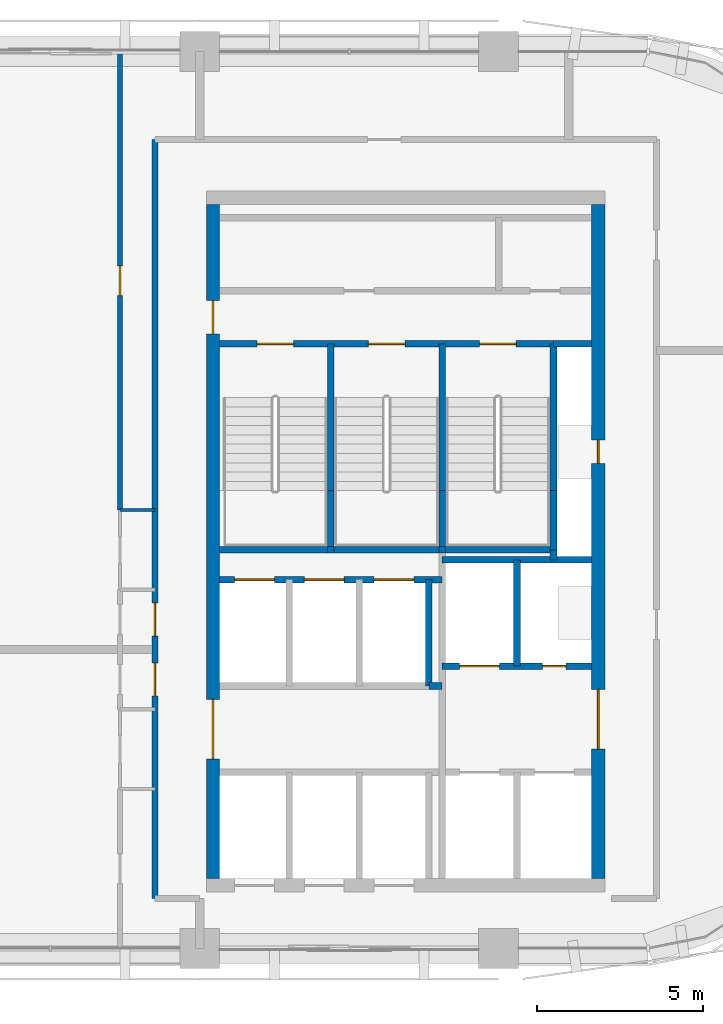
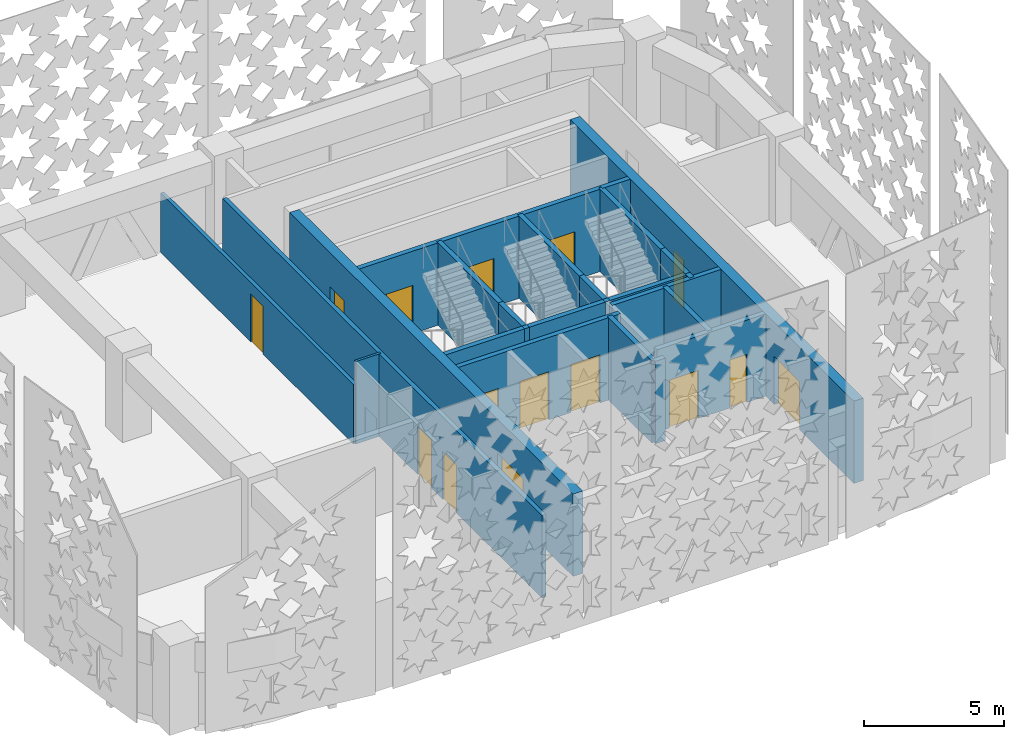
# One storey, part 7 of 14: 25 walls, 15 doors, 15 openings.
"""IFC4 building model written with IfcOpenShell, lengths in metres."""

from ifc_helpers import new_model, si_unit, direction, frame, frame_2d, origin, place, context, subcontext, project, spatial, rectangle, extrude, material, layer, layer_set, type_object, element, fill, save


model = new_model("IFC4")

# Units and contexts
model_context = context("Model", 3, precision=1e-05, world=origin(), true_north=direction((0.0, 1.0)))
body_context = subcontext(model_context, "Body", "Model", "MODEL_VIEW")
ifc_project = project(units=[si_unit("LENGTHUNIT", "METRE"), si_unit("AREAUNIT", "SQUARE_METRE"), si_unit("VOLUMEUNIT", "CUBIC_METRE"), si_unit("PLANEANGLEUNIT", "RADIAN"), si_unit("MASSUNIT", "GRAM", prefix="KILO")], contexts=[model_context])

# Site, building, storey
site_placement = place(None, origin())
site = spatial("IfcSite", under=ifc_project, at=site_placement, CompositionType="ELEMENT")
building_placement = place(site_placement, origin())
building = spatial("IfcBuilding", under=site, at=building_placement, Name="Tessera Arch", CompositionType="ELEMENT")
storey_placement = place(building_placement, frame((0.0, 0.0, 269.60009765625)))
storey = spatial("IfcBuildingStorey", under=building, at=storey_placement, Name="L65", CompositionType="ELEMENT", Elevation=269.60009765625)

# Wall
ifc_material_1 = material(Name="Gypsum board on steel stud", Category="steel")
ifc_layer_1 = layer(ifc_material_1, 0.125)
ifc_layer_set_1 = layer_set([ifc_layer_1], Name="Core partition 125 EI 60")
wall_type_1 = type_object("IfcWallType", Name="Core partition 125 EI 60", PredefinedType="PARTITIONING", material=ifc_layer_set_1)
wall_1_placement = place(storey_placement, frame((42.89990234375, 34.89990234375, 0.0), z_axis=(0.0, 0.0, 1.0), x_axis=(1.0, 0.0, 0.0)))
element("IfcWall", 1, at=wall_1_placement, inside=storey, type_object=wall_type_1, Name="L65 C1 partition wall 19", PredefinedType="PARTITIONING", context=body_context, shape_type="SweptSolid", body=[
    extrude(rectangle(XDim=0.400146484375, YDim=0.199951171875, at=frame_2d((0.2001953125, 0.0))), origin(), (0.0, 0.0, 1.0), 3.599853515625),
])

# Wall, openings, doors
ifc_material_2 = material(Name="Concrete C50/60", Category="concrete")
ifc_layer_2 = layer(ifc_material_2, 0.39990234375)
ifc_layer_set_2 = layer_set([ifc_layer_2], Name="Core shell wall 400 C50-60")
wall_type_2 = type_object("IfcWallType", Name="Core shell wall 400 C50-60", PredefinedType="SHEAR", material=ifc_layer_set_2)
wall_2_placement = place(storey_placement, frame((36.39990234375, 29.10009765625, 0.0), z_axis=(0.0, 0.0, 1.0), x_axis=(0.0, 1.0, 0.0)))
wall_2 = element("IfcWall", 2, at=wall_2_placement, inside=storey, type_object=wall_type_2, Name="L65 C1 core wall W", PredefinedType="SHEAR", context=body_context, shape_type="SweptSolid", body=[
    extrude(rectangle(XDim=20.2998046875, YDim=0.39990234375, at=frame_2d((10.14990234375, 0.0))), origin(), (0.0, 0.0, 1.0), 3.599853515625),
])
opening_1_placement = place(wall_2_placement, frame((3.60009765625, 0.0, 0.0)))
opening_1 = element("IfcOpeningElement", 3, at=opening_1_placement, cuts=wall_2, Name="Opening L65-C10", PredefinedType="OPENING", context=body_context, shape_type="SweptSolid", body=[
    extrude(rectangle(XDim=1.800048828125, YDim=2.10009765625, at=frame_2d((0.89990234375, 1.050048828125))), frame((0.0, 0.2099609375, 0.0), z_axis=(0.0, -1.0, 0.0), x_axis=(1.0, 0.0, 0.0)), (0.0, 0.0, 1.0), 0.419921875),
])
opening_2_placement = place(wall_2_placement, frame((16.39990234375, 0.0, 0.0)))
opening_2 = element("IfcOpeningElement", 4, at=opening_2_placement, cuts=wall_2, Name="Opening L65-C17", PredefinedType="OPENING", context=body_context, shape_type="SweptSolid", body=[
    extrude(rectangle(XDim=1.0, YDim=2.10009765625, at=frame_2d((0.5, 1.050048828125))), frame((0.0, 0.2099609375, 0.0), z_axis=(0.0, -1.0, 0.0), x_axis=(1.0, 0.0, 0.0)), (0.0, 0.0, 1.0), 0.419921875),
])
ifc_material_3 = material(Name="Steel door leaf", Category="steel")
door_type_1 = type_object("IfcDoorType", Name="Corridor door FD60 1000 x 2100", OperationType="SINGLE_SWING_LEFT", PredefinedType="DOOR", material=ifc_material_3)
door_1_placement = place(opening_2_placement, origin())
door_1 = element("IfcDoor", 5, at=door_1_placement, inside=storey, type_object=door_type_1, Name="L65 C1 door 17 C17 type D12", OperationType="SINGLE_SWING_RIGHT", OverallHeight=2.10009765625, OverallWidth=1.0, PredefinedType="DOOR", context=body_context, shape_type="SweptSolid", body=[
    extrude(rectangle(XDim=1.0, YDim=2.10009765625, at=frame_2d((0.5, 1.050048828125))), frame((0.0, 0.02490234375, 0.0), z_axis=(0.0, -1.0, 0.0), x_axis=(1.0, 0.0, 0.0)), (0.0, 0.0, 1.0), 0.050048828125),
])
fill(opening_2, door_1)
ifc_material_4 = material(Name="Glazed steel door leaf", Category="steel")
door_type_2 = type_object("IfcDoorType", Name="Lobby double door FD30S 1800 x 2100", OperationType="DOUBLE_DOOR_SINGLE_SWING", PredefinedType="DOOR", material=ifc_material_4)
door_2_placement = place(opening_1_placement, origin())
door_2 = element("IfcDoor", 6, at=door_2_placement, inside=storey, type_object=door_type_2, Name="L65 C1 door 10 C10 type D06", OperationType="DOUBLE_DOOR_SINGLE_SWING", OverallHeight=2.10009765625, OverallWidth=1.800048828125, PredefinedType="DOOR", context=body_context, shape_type="SweptSolid", body=[
    extrude(rectangle(XDim=1.800048828125, YDim=2.10009765625, at=frame_2d((0.89990234375, 1.050048828125))), frame((0.0, 0.02490234375, 0.0), z_axis=(0.0, -1.0, 0.0), x_axis=(1.0, 0.0, 0.0)), (0.0, 0.0, 1.0), 0.050048828125),
])
fill(opening_1, door_2)

wall_3_placement = place(storey_placement, frame((48.0, 29.10009765625, 0.0), z_axis=(0.0, 0.0, 1.0), x_axis=(0.0, 1.0, 0.0)))
wall_3 = element("IfcWall", 7, at=wall_3_placement, inside=storey, type_object=wall_type_2, Name="L65 C1 core wall E", PredefinedType="SHEAR", context=body_context, shape_type="SweptSolid", body=[
    extrude(rectangle(XDim=20.2998046875, YDim=0.39990234375, at=frame_2d((10.14990234375, 0.0))), origin(), (0.0, 0.0, 1.0), 3.599853515625),
])
opening_3_placement = place(wall_3_placement, frame((12.5, 0.0, 0.0)))
opening_3 = element("IfcOpeningElement", 8, at=opening_3_placement, cuts=wall_3, Name="Opening L65-C14", PredefinedType="OPENING", context=body_context, shape_type="SweptSolid", body=[
    extrude(rectangle(XDim=0.699951171875, YDim=2.10009765625, at=frame_2d((0.35009765625, 1.050048828125))), frame((0.0, 0.2099609375, 0.0), z_axis=(0.0, -1.0, 0.0), x_axis=(1.0, 0.0, 0.0)), (0.0, 0.0, 1.0), 0.419921875),
])
opening_4_placement = place(wall_3_placement, frame((3.89990234375, 0.0, 0.0)))
opening_4 = element("IfcOpeningElement", 9, at=opening_4_placement, cuts=wall_3, Name="Opening L65-C15", PredefinedType="OPENING", context=body_context, shape_type="SweptSolid", body=[
    extrude(rectangle(XDim=1.800048828125, YDim=2.10009765625, at=frame_2d((0.89990234375, 1.050048828125))), frame((0.0, 0.2099609375, 0.0), z_axis=(0.0, -1.0, 0.0), x_axis=(1.0, 0.0, 0.0)), (0.0, 0.0, 1.0), 0.419921875),
])
ifc_material_5 = material(Name="Glazed steel door leaf", Category="steel")
door_type_3 = type_object("IfcDoorType", Name="Lobby double door FD60 1800 x 2100", OperationType="DOUBLE_DOOR_SINGLE_SWING", PredefinedType="DOOR", material=ifc_material_5)
door_3_placement = place(opening_4_placement, origin())
door_3 = element("IfcDoor", 10, at=door_3_placement, inside=storey, type_object=door_type_3, Name="L65 C1 door 15 C15 type D19", OperationType="DOUBLE_DOOR_SINGLE_SWING", OverallHeight=2.10009765625, OverallWidth=1.800048828125, PredefinedType="DOOR", context=body_context, shape_type="SweptSolid", body=[
    extrude(rectangle(XDim=1.800048828125, YDim=2.10009765625, at=frame_2d((0.89990234375, 1.050048828125))), frame((0.0, 0.02490234375, 0.0), z_axis=(0.0, -1.0, 0.0), x_axis=(1.0, 0.0, 0.0)), (0.0, 0.0, 1.0), 0.050048828125),
])
fill(opening_4, door_3)
ifc_material_6 = material(Name="Steel door leaf", Category="steel")
door_type_4 = type_object("IfcDoorType", Name="Service shaft door FD60 700 x 2100", OperationType="SINGLE_SWING_LEFT", PredefinedType="DOOR", material=ifc_material_6)
door_4_placement = place(opening_3_placement, origin())
door_4 = element("IfcDoor", 11, at=door_4_placement, inside=storey, type_object=door_type_4, Name="L65 C1 door 14 C14 type D07", OperationType="SINGLE_SWING_RIGHT", OverallHeight=2.10009765625, OverallWidth=0.699951171875, PredefinedType="DOOR", context=body_context, shape_type="SweptSolid", body=[
    extrude(rectangle(XDim=0.699951171875, YDim=2.10009765625, at=frame_2d((0.35009765625, 1.050048828125))), frame((0.0, 0.02490234375, 0.0), z_axis=(0.0, -1.0, 0.0), x_axis=(1.0, 0.0, 0.0)), (0.0, 0.0, 1.0), 0.050048828125),
])
fill(opening_3, door_4)

ifc_material_7 = material(Name="Gypsum board on deep steel stud with mineral wool", Category="steel")
ifc_layer_3 = layer(ifc_material_7, 0.175048828125)
ifc_layer_set_3 = layer_set([ifc_layer_3], Name="Corridor wall 175 EI 60")
wall_type_3 = type_object("IfcWallType", Name="Corridor wall 175 EI 60", PredefinedType="PARTITIONING", material=ifc_layer_set_3)
wall_4_placement = place(storey_placement, frame((34.64990234375, 28.5, 0.0), z_axis=(0.0, 0.0, 1.0), x_axis=(0.0, 1.0, 0.0)))
wall_4 = element("IfcWall", 12, at=wall_4_placement, inside=storey, type_object=wall_type_3, Name="L65 partition 4", PredefinedType="PARTITIONING", context=body_context, shape_type="SweptSolid", body=[
    extrude(rectangle(XDim=22.85009765625, YDim=0.175048828125, at=frame_2d((11.425048828125, 0.0))), origin(), (0.0, 0.0, 1.0), 3.599853515625),
])
opening_5_placement = place(wall_4_placement, frame((6.10009765625, 0.0, 0.0)))
opening_5 = element("IfcOpeningElement", 13, at=opening_5_placement, cuts=wall_4, Name="Opening L65-D001", PredefinedType="OPENING", context=body_context, shape_type="SweptSolid", body=[
    extrude(rectangle(XDim=1.0, YDim=2.10009765625, at=frame_2d((0.5, 1.050048828125))), frame((0.0, 0.097412109375, 0.0), z_axis=(0.0, -1.0, 0.0), x_axis=(1.0, 0.0, 0.0)), (0.0, 0.0, 1.0), 0.195068359375),
])
opening_6_placement = place(wall_4_placement, frame((7.89990234375, 0.0, 0.0)))
opening_6 = element("IfcOpeningElement", 14, at=opening_6_placement, cuts=wall_4, Name="Opening L65-D006", PredefinedType="OPENING", context=body_context, shape_type="SweptSolid", body=[
    extrude(rectangle(XDim=1.0, YDim=2.10009765625, at=frame_2d((0.5, 1.050048828125))), frame((0.0, 0.097412109375, 0.0), z_axis=(0.0, -1.0, 0.0), x_axis=(1.0, 0.0, 0.0)), (0.0, 0.0, 1.0), 0.195068359375),
])
ifc_material_8 = material(Name="Fire-rated door leaf")
door_type_5 = type_object("IfcDoorType", Name="Entrance door FD30S 1000 x 2100", OperationType="SINGLE_SWING_LEFT", PredefinedType="DOOR", material=ifc_material_8)
door_5_placement = place(opening_5_placement, origin())
door_5 = element("IfcDoor", 15, at=door_5_placement, inside=storey, type_object=door_type_5, Name="L65 door D001 type D03", OperationType="SINGLE_SWING_LEFT", OverallHeight=2.10009765625, OverallWidth=1.0, PredefinedType="DOOR", context=body_context, shape_type="SweptSolid", body=[
    extrude(rectangle(XDim=1.0, YDim=2.10009765625, at=frame_2d((0.5, 1.050048828125))), frame((0.0, 0.02490234375, 0.0), z_axis=(0.0, -1.0, 0.0), x_axis=(1.0, 0.0, 0.0)), (0.0, 0.0, 1.0), 0.050048828125),
])
fill(opening_5, door_5)
door_6_placement = place(opening_6_placement, origin())
door_6 = element("IfcDoor", 16, at=door_6_placement, inside=storey, type_object=door_type_5, Name="L65 door D006 type D03", OperationType="SINGLE_SWING_LEFT", OverallHeight=2.10009765625, OverallWidth=1.0, PredefinedType="DOOR", context=body_context, shape_type="SweptSolid", body=[
    extrude(rectangle(XDim=1.0, YDim=2.10009765625, at=frame_2d((0.5, 1.050048828125))), frame((0.0, 0.02490234375, 0.0), z_axis=(0.0, -1.0, 0.0), x_axis=(1.0, 0.0, 0.0)), (0.0, 0.0, 1.0), 0.050048828125),
])
fill(opening_6, door_6)

# Wall, opening, door
ifc_material_9 = material(Name="Gypsum board on steel stud", Category="steel")
ifc_layer_4 = layer(ifc_material_9, 0.14990234375)
ifc_layer_set_4 = layer_set([ifc_layer_4], Name="Partition 150")
wall_type_4 = type_object("IfcWallType", Name="Partition 150", PredefinedType="PARTITIONING", material=ifc_layer_set_4)
wall_5_placement = place(storey_placement, frame((33.60009765625, 40.199951171875, 0.0), z_axis=(0.0, 0.0, 1.0), x_axis=(0.0, 1.0, 0.0)))
wall_5 = element("IfcWall", 17, at=wall_5_placement, inside=storey, type_object=wall_type_4, Name="L65 partition 8", PredefinedType="PARTITIONING", context=body_context, shape_type="SweptSolid", body=[
    extrude(rectangle(XDim=13.800048828125, YDim=0.14990234375, at=frame_2d((6.89990234375, 0.0))), origin(), (0.0, 0.0, 1.0), 2.599853515625),
])
opening_7_placement = place(wall_5_placement, frame((6.449951171875, 0.0, 0.0)))
opening_7 = element("IfcOpeningElement", 18, at=opening_7_placement, cuts=wall_5, Name="Opening L65-D009", PredefinedType="OPENING", context=body_context, shape_type="SweptSolid", body=[
    extrude(rectangle(XDim=0.89990234375, YDim=2.10009765625, at=frame_2d((0.449951171875, 1.050048828125))), frame((0.0, 0.0849609375, 0.0), z_axis=(0.0, -1.0, 0.0), x_axis=(1.0, 0.0, 0.0)), (0.0, 0.0, 1.0), 0.169921875),
])
ifc_material_10 = material(Name="Timber door leaf", Category="wood")
door_type_6 = type_object("IfcDoorType", Name="Room door 900 x 2100", OperationType="SINGLE_SWING_LEFT", PredefinedType="DOOR", material=ifc_material_10)
door_7_placement = place(opening_7_placement, origin())
door_7 = element("IfcDoor", 19, at=door_7_placement, inside=storey, type_object=door_type_6, Name="L65 door D009 type D01", OperationType="SINGLE_SWING_RIGHT", OverallHeight=2.10009765625, OverallWidth=0.89990234375, PredefinedType="DOOR", context=body_context, shape_type="SweptSolid", body=[
    extrude(rectangle(XDim=0.89990234375, YDim=2.10009765625, at=frame_2d((0.449951171875, 1.050048828125))), frame((0.0, 0.02490234375, 0.0), z_axis=(0.0, -1.0, 0.0), x_axis=(1.0, 0.0, 0.0)), (0.0, 0.0, 1.0), 0.050048828125),
])
fill(opening_7, door_7)

# Walls
ifc_material_11 = material(Name="Concrete C40/50", Category="concrete")
ifc_layer_5 = layer(ifc_material_11, 0.199951171875)
ifc_layer_set_5 = layer_set([ifc_layer_5], Name="Shaft wall 200 EI 120")
wall_type_5 = type_object("IfcWallType", Name="Shaft wall 200 EI 120", PredefinedType="SOLIDWALL", material=ifc_layer_set_5)
wall_6_placement = place(storey_placement, frame((42.89990234375, 34.89990234375, 0.0), z_axis=(0.0, 0.0, 1.0), x_axis=(0.0, 1.0, 0.0)))
element("IfcWall", 20, at=wall_6_placement, inside=storey, type_object=wall_type_5, Name="L65 C1 shaft wall 8", PredefinedType="SOLIDWALL", context=body_context, shape_type="SweptSolid", body=[
    extrude(rectangle(XDim=3.2001953125, YDim=0.199951171875, at=frame_2d((1.60009765625, 0.0))), origin(), (0.0, 0.0, 1.0), 3.599853515625),
])
wall_7_placement = place(storey_placement, frame((45.550048828125, 35.5, 0.0), z_axis=(0.0, 0.0, 1.0), x_axis=(0.0, 1.0, 0.0)))
element("IfcWall", 21, at=wall_7_placement, inside=storey, type_object=wall_type_5, Name="L65 C1 shaft wall 14", PredefinedType="SOLIDWALL", context=body_context, shape_type="SweptSolid", body=[
    extrude(rectangle(XDim=3.199951171875, YDim=0.199951171875, at=frame_2d((1.60009765625, 0.0))), origin(), (0.0, 0.0, 1.0), 3.599853515625),
])
wall_8_placement = place(storey_placement, frame((46.64990234375, 38.699951171875, 0.0), z_axis=(0.0, 0.0, 1.0), x_axis=(0.0, 1.0, 0.0)))
element("IfcWall", 22, at=wall_8_placement, inside=storey, type_object=wall_type_5, Name="L65 C1 shaft wall 15", PredefinedType="SOLIDWALL", context=body_context, shape_type="SweptSolid", body=[
    extrude(rectangle(XDim=0.300048828125, YDim=0.199951171875, at=frame_2d((0.14990234375, 0.0))), origin(), (0.0, 0.0, 1.0), 3.599853515625),
])

# Wall, openings, doors
wall_9_placement = place(storey_placement, frame((43.300048828125, 35.5, 0.0), z_axis=(0.0, 0.0, 1.0), x_axis=(1.0, 0.0, 0.0)))
wall_9 = element("IfcWall", 23, at=wall_9_placement, inside=storey, type_object=wall_type_5, Name="L65 C1 shaft wall 21", PredefinedType="SOLIDWALL", context=body_context, shape_type="SweptSolid", body=[
    extrude(rectangle(XDim=4.5, YDim=0.199951171875, at=frame_2d((2.25, 0.0))), origin(), (0.0, 0.0, 1.0), 3.599853515625),
])
opening_8_placement = place(wall_9_placement, frame((0.52490234375, 0.0, 0.0)))
opening_8 = element("IfcOpeningElement", 24, at=opening_8_placement, cuts=wall_9, Name="Opening L65-C09", PredefinedType="OPENING", context=body_context, shape_type="SweptSolid", body=[
    extrude(rectangle(XDim=1.199951171875, YDim=2.10009765625, at=frame_2d((0.60009765625, 1.050048828125))), frame((0.0, 0.10986328125, 0.0), z_axis=(0.0, -1.0, 0.0), x_axis=(1.0, 0.0, 0.0)), (0.0, 0.0, 1.0), 0.219970703125),
])
opening_9_placement = place(wall_9_placement, frame((3.02490234375, 0.0, 0.0)))
opening_9 = element("IfcOpeningElement", 25, at=opening_9_placement, cuts=wall_9, Name="Opening L65-C16", PredefinedType="OPENING", context=body_context, shape_type="SweptSolid", body=[
    extrude(rectangle(XDim=0.699951171875, YDim=2.10009765625, at=frame_2d((0.35009765625, 1.050048828125))), frame((0.0, 0.10986328125, 0.0), z_axis=(0.0, -1.0, 0.0), x_axis=(1.0, 0.0, 0.0)), (0.0, 0.0, 1.0), 0.219970703125),
])
door_8_placement = place(opening_9_placement, origin())
door_8 = element("IfcDoor", 26, at=door_8_placement, inside=storey, type_object=door_type_4, Name="L65 C1 door 16 C16 type D07", OperationType="SINGLE_SWING_RIGHT", OverallHeight=2.10009765625, OverallWidth=0.699951171875, PredefinedType="DOOR", context=body_context, shape_type="SweptSolid", body=[
    extrude(rectangle(XDim=0.699951171875, YDim=2.10009765625, at=frame_2d((0.35009765625, 1.050048828125))), frame((0.0, 0.02490234375, 0.0), z_axis=(0.0, -1.0, 0.0), x_axis=(1.0, 0.0, 0.0)), (0.0, 0.0, 1.0), 0.050048828125),
])
fill(opening_9, door_8)
ifc_material_12 = material(Name="Stainless steel AISI 304", Category="steel")
door_type_7 = type_object("IfcDoorType", Name="Sliding landing door 1200 x 2100", OperationType="SLIDING_TO_LEFT", PredefinedType="DOOR", material=ifc_material_12)
door_9_placement = place(opening_8_placement, origin())
door_9 = element("IfcDoor", 27, at=door_9_placement, inside=storey, type_object=door_type_7, Name="L65 SV2 lift landing door C09 type LD", OperationType="SLIDING_TO_LEFT", OverallHeight=2.10009765625, OverallWidth=1.199951171875, PredefinedType="DOOR", context=body_context, shape_type="SweptSolid", body=[
    extrude(rectangle(XDim=1.199951171875, YDim=2.10009765625, at=frame_2d((0.60009765625, 1.050048828125))), frame((0.0, 0.02490234375, 0.0), z_axis=(0.0, -1.0, 0.0), x_axis=(1.0, 0.0, 0.0)), (0.0, 0.0, 1.0), 0.050048828125),
])
fill(opening_8, door_9)

wall_10_placement = place(storey_placement, frame((36.60009765625, 38.10009765625, 0.0), z_axis=(0.0, 0.0, 1.0), x_axis=(1.0, 0.0, 0.0)))
wall_10 = element("IfcWall", 28, at=wall_10_placement, inside=storey, type_object=wall_type_5, Name="L65 C1 shaft wall 22", PredefinedType="SOLIDWALL", context=body_context, shape_type="SweptSolid", body=[
    extrude(rectangle(XDim=6.699951171875, YDim=0.199951171875, at=frame_2d((3.35009765625, 0.0))), origin(), (0.0, 0.0, 1.0), 3.599853515625),
])
opening_10_placement = place(wall_10_placement, frame((0.449951171875, 0.0, 0.0)))
opening_10 = element("IfcOpeningElement", 29, at=opening_10_placement, cuts=wall_10, Name="Opening L65-C02", PredefinedType="OPENING", context=body_context, shape_type="SweptSolid", body=[
    extrude(rectangle(XDim=1.199951171875, YDim=2.10009765625, at=frame_2d((0.60009765625, 1.050048828125))), frame((0.0, 0.10986328125, 0.0), z_axis=(0.0, -1.0, 0.0), x_axis=(1.0, 0.0, 0.0)), (0.0, 0.0, 1.0), 0.219970703125),
])
opening_11_placement = place(wall_10_placement, frame((2.550048828125, 0.0, 0.0)))
opening_11 = element("IfcOpeningElement", 30, at=opening_11_placement, cuts=wall_10, Name="Opening L65-C04", PredefinedType="OPENING", context=body_context, shape_type="SweptSolid", body=[
    extrude(rectangle(XDim=1.199951171875, YDim=2.10009765625, at=frame_2d((0.60009765625, 1.050048828125))), frame((0.0, 0.10986328125, 0.0), z_axis=(0.0, -1.0, 0.0), x_axis=(1.0, 0.0, 0.0)), (0.0, 0.0, 1.0), 0.219970703125),
])
opening_12_placement = place(wall_10_placement, frame((4.64990234375, 0.0, 0.0)))
opening_12 = element("IfcOpeningElement", 31, at=opening_12_placement, cuts=wall_10, Name="Opening L65-C06", PredefinedType="OPENING", context=body_context, shape_type="SweptSolid", body=[
    extrude(rectangle(XDim=1.199951171875, YDim=2.10009765625, at=frame_2d((0.60009765625, 1.050048828125))), frame((0.0, 0.10986328125, 0.0), z_axis=(0.0, -1.0, 0.0), x_axis=(1.0, 0.0, 0.0)), (0.0, 0.0, 1.0), 0.219970703125),
])
door_10_placement = place(opening_10_placement, origin())
door_10 = element("IfcDoor", 32, at=door_10_placement, inside=storey, type_object=door_type_7, Name="L65 HR4 lift landing door C02 type LD", OperationType="SLIDING_TO_LEFT", OverallHeight=2.10009765625, OverallWidth=1.199951171875, PredefinedType="DOOR", context=body_context, shape_type="SweptSolid", body=[
    extrude(rectangle(XDim=1.199951171875, YDim=2.10009765625, at=frame_2d((0.60009765625, 1.050048828125))), frame((0.0, 0.02490234375, 0.0), z_axis=(0.0, -1.0, 0.0), x_axis=(1.0, 0.0, 0.0)), (0.0, 0.0, 1.0), 0.050048828125),
])
fill(opening_10, door_10)
door_11_placement = place(opening_11_placement, origin())
door_11 = element("IfcDoor", 33, at=door_11_placement, inside=storey, type_object=door_type_7, Name="L65 HR5 lift landing door C04 type LD", OperationType="SLIDING_TO_LEFT", OverallHeight=2.10009765625, OverallWidth=1.199951171875, PredefinedType="DOOR", context=body_context, shape_type="SweptSolid", body=[
    extrude(rectangle(XDim=1.199951171875, YDim=2.10009765625, at=frame_2d((0.60009765625, 1.050048828125))), frame((0.0, 0.02490234375, 0.0), z_axis=(0.0, -1.0, 0.0), x_axis=(1.0, 0.0, 0.0)), (0.0, 0.0, 1.0), 0.050048828125),
])
fill(opening_11, door_11)
door_12_placement = place(opening_12_placement, origin())
door_12 = element("IfcDoor", 34, at=door_12_placement, inside=storey, type_object=door_type_7, Name="L65 HR6 lift landing door C06 type LD", OperationType="SLIDING_TO_LEFT", OverallHeight=2.10009765625, OverallWidth=1.199951171875, PredefinedType="DOOR", context=body_context, shape_type="SweptSolid", body=[
    extrude(rectangle(XDim=1.199951171875, YDim=2.10009765625, at=frame_2d((0.60009765625, 1.050048828125))), frame((0.0, 0.02490234375, 0.0), z_axis=(0.0, -1.0, 0.0), x_axis=(1.0, 0.0, 0.0)), (0.0, 0.0, 1.0), 0.050048828125),
])
fill(opening_12, door_12)

# Walls
wall_11_placement = place(storey_placement, frame((43.300048828125, 38.699951171875, 0.0), z_axis=(0.0, 0.0, 1.0), x_axis=(1.0, 0.0, 0.0)))
element("IfcWall", 35, at=wall_11_placement, inside=storey, type_object=wall_type_5, Name="L65 C1 shaft wall 23", PredefinedType="SOLIDWALL", context=body_context, shape_type="SweptSolid", body=[
    extrude(rectangle(XDim=4.5, YDim=0.199951171875, at=frame_2d((2.25, 0.0))), origin(), (0.0, 0.0, 1.0), 3.599853515625),
])
wall_12_placement = place(storey_placement, frame((46.64990234375, 45.199951171875, 0.0), z_axis=(0.0, 0.0, 1.0), x_axis=(1.0, 0.0, 0.0)))
element("IfcWall", 36, at=wall_12_placement, inside=storey, type_object=wall_type_5, Name="L65 C1 shaft wall 29", PredefinedType="SOLIDWALL", context=body_context, shape_type="SweptSolid", body=[
    extrude(rectangle(XDim=1.150146484375, YDim=0.199951171875, at=frame_2d((0.5751953125, 0.0))), origin(), (0.0, 0.0, 1.0), 3.599853515625),
])
ifc_material_13 = material(Name="Concrete C40/50", Category="concrete")
ifc_layer_6 = layer(ifc_material_13, 0.199951171875)
ifc_layer_set_6 = layer_set([ifc_layer_6], Name="Stair well wall 200 REI 180")
wall_type_6 = type_object("IfcWallType", Name="Stair well wall 200 REI 180", PredefinedType="SOLIDWALL", material=ifc_layer_set_6)
wall_13_placement = place(storey_placement, frame((39.949951171875, 39.0, 0.0), z_axis=(0.0, 0.0, 1.0), x_axis=(0.0, 1.0, 0.0)))
element("IfcWall", 37, at=wall_13_placement, inside=storey, type_object=wall_type_6, Name="L65 C1 shaft wall 3", PredefinedType="SOLIDWALL", context=body_context, shape_type="SweptSolid", body=[
    extrude(rectangle(XDim=1.780029296875, YDim=0.199951171875, at=frame_2d((0.89013671875, 0.0))), origin(), (0.0, 0.0, 1.0), 3.599853515625),
])
wall_14_placement = place(storey_placement, frame((39.949951171875, 40.780029296875, 0.0), z_axis=(0.0, 0.0, 1.0), x_axis=(0.0, 1.0, 0.0)))
element("IfcWall", 38, at=wall_14_placement, inside=storey, type_object=wall_type_6, Name="L65 C1 shaft wall 4", PredefinedType="SOLIDWALL", context=body_context, shape_type="SweptSolid", body=[
    extrude(rectangle(XDim=4.419921875, YDim=0.199951171875, at=frame_2d((2.2099609375, 0.0))), origin(), (0.0, 0.0, 1.0), 3.599853515625),
])
wall_15_placement = place(storey_placement, frame((43.300048828125, 39.0, 0.0), z_axis=(0.0, 0.0, 1.0), x_axis=(0.0, 1.0, 0.0)))
element("IfcWall", 39, at=wall_15_placement, inside=storey, type_object=wall_type_6, Name="L65 C1 shaft wall 10", PredefinedType="SOLIDWALL", context=body_context, shape_type="SweptSolid", body=[
    extrude(rectangle(XDim=1.780029296875, YDim=0.199951171875, at=frame_2d((0.89013671875, 0.0))), origin(), (0.0, 0.0, 1.0), 3.599853515625),
])
wall_16_placement = place(storey_placement, frame((43.300048828125, 40.780029296875, 0.0), z_axis=(0.0, 0.0, 1.0), x_axis=(0.0, 1.0, 0.0)))
element("IfcWall", 40, at=wall_16_placement, inside=storey, type_object=wall_type_6, Name="L65 C1 shaft wall 11", PredefinedType="SOLIDWALL", context=body_context, shape_type="SweptSolid", body=[
    extrude(rectangle(XDim=4.419921875, YDim=0.199951171875, at=frame_2d((2.2099609375, 0.0))), origin(), (0.0, 0.0, 1.0), 3.599853515625),
])
wall_17_placement = place(storey_placement, frame((46.64990234375, 39.0, 0.0), z_axis=(0.0, 0.0, 1.0), x_axis=(0.0, 1.0, 0.0)))
element("IfcWall", 41, at=wall_17_placement, inside=storey, type_object=wall_type_6, Name="L65 C1 shaft wall 16", PredefinedType="SOLIDWALL", context=body_context, shape_type="SweptSolid", body=[
    extrude(rectangle(XDim=1.780029296875, YDim=0.199951171875, at=frame_2d((0.89013671875, 0.0))), origin(), (0.0, 0.0, 1.0), 3.599853515625),
])
wall_18_placement = place(storey_placement, frame((46.64990234375, 40.780029296875, 0.0), z_axis=(0.0, 0.0, 1.0), x_axis=(0.0, 1.0, 0.0)))
element("IfcWall", 42, at=wall_18_placement, inside=storey, type_object=wall_type_6, Name="L65 C1 shaft wall 17", PredefinedType="SOLIDWALL", context=body_context, shape_type="SweptSolid", body=[
    extrude(rectangle(XDim=4.419921875, YDim=0.199951171875, at=frame_2d((2.2099609375, 0.0))), origin(), (0.0, 0.0, 1.0), 3.599853515625),
])
wall_19_placement = place(storey_placement, frame((36.60009765625, 39.0, 0.0), z_axis=(0.0, 0.0, 1.0), x_axis=(1.0, 0.0, 0.0)))
element("IfcWall", 43, at=wall_19_placement, inside=storey, type_object=wall_type_6, Name="L65 C1 shaft wall 24", PredefinedType="SOLIDWALL", context=body_context, shape_type="SweptSolid", body=[
    extrude(rectangle(XDim=3.25, YDim=0.199951171875, at=frame_2d((1.625, 0.0))), origin(), (0.0, 0.0, 1.0), 3.599853515625),
])
wall_20_placement = place(storey_placement, frame((39.85009765625, 39.0, 0.0), z_axis=(0.0, 0.0, 1.0), x_axis=(1.0, 0.0, 0.0)))
element("IfcWall", 44, at=wall_20_placement, inside=storey, type_object=wall_type_6, Name="L65 C1 shaft wall 25", PredefinedType="SOLIDWALL", context=body_context, shape_type="SweptSolid", body=[
    extrude(rectangle(XDim=0.199951171875, YDim=0.199951171875, at=frame_2d((0.10009765625, 0.0))), origin(), (0.0, 0.0, 1.0), 3.599853515625),
])
wall_21_placement = place(storey_placement, frame((40.050048828125, 39.0, 0.0), z_axis=(0.0, 0.0, 1.0), x_axis=(1.0, 0.0, 0.0)))
element("IfcWall", 45, at=wall_21_placement, inside=storey, type_object=wall_type_6, Name="L65 C1 shaft wall 26", PredefinedType="SOLIDWALL", context=body_context, shape_type="SweptSolid", body=[
    extrude(rectangle(XDim=3.14990234375, YDim=0.199951171875, at=frame_2d((1.574951171875, 0.0))), origin(), (0.0, 0.0, 1.0), 3.599853515625),
])
wall_22_placement = place(storey_placement, frame((43.199951171875, 39.0, 0.0), z_axis=(0.0, 0.0, 1.0), x_axis=(1.0, 0.0, 0.0)))
element("IfcWall", 46, at=wall_22_placement, inside=storey, type_object=wall_type_6, Name="L65 C1 shaft wall 27", PredefinedType="SOLIDWALL", context=body_context, shape_type="SweptSolid", body=[
    extrude(rectangle(XDim=0.199951171875, YDim=0.199951171875, at=frame_2d((0.10009765625, 0.0))), origin(), (0.0, 0.0, 1.0), 3.599853515625),
])
wall_23_placement = place(storey_placement, frame((43.39990234375, 39.0, 0.0), z_axis=(0.0, 0.0, 1.0), x_axis=(1.0, 0.0, 0.0)))
element("IfcWall", 47, at=wall_23_placement, inside=storey, type_object=wall_type_6, Name="L65 C1 shaft wall 28", PredefinedType="SOLIDWALL", context=body_context, shape_type="SweptSolid", body=[
    extrude(rectangle(XDim=3.25, YDim=0.199951171875, at=frame_2d((1.625, 0.0))), origin(), (0.0, 0.0, 1.0), 3.599853515625),
])

# Wall, openings, doors
wall_24_placement = place(storey_placement, frame((36.60009765625, 45.199951171875, 0.0), z_axis=(0.0, 0.0, 1.0), x_axis=(1.0, 0.0, 0.0)))
wall_24 = element("IfcWall", 48, at=wall_24_placement, inside=storey, type_object=wall_type_6, Name="L65 C1 shaft wall 30", PredefinedType="SOLIDWALL", context=body_context, shape_type="SweptSolid", body=[
    extrude(rectangle(XDim=10.0498046875, YDim=0.199951171875, at=frame_2d((5.02490234375, 0.0))), origin(), (0.0, 0.0, 1.0), 3.599853515625),
])
opening_13_placement = place(wall_24_placement, frame((1.125, 0.0, 0.0)))
opening_13 = element("IfcOpeningElement", 49, at=opening_13_placement, cuts=wall_24, Name="Opening L65-C11", PredefinedType="OPENING", context=body_context, shape_type="SweptSolid", body=[
    extrude(rectangle(XDim=1.10009765625, YDim=2.10009765625, at=frame_2d((0.550048828125, 1.050048828125))), frame((0.0, 0.10986328125, 0.0), z_axis=(0.0, -1.0, 0.0), x_axis=(1.0, 0.0, 0.0)), (0.0, 0.0, 1.0), 0.219970703125),
])
opening_14_placement = place(wall_24_placement, frame((4.47509765625, 0.0, 0.0)))
opening_14 = element("IfcOpeningElement", 50, at=opening_14_placement, cuts=wall_24, Name="Opening L65-C12", PredefinedType="OPENING", context=body_context, shape_type="SweptSolid", body=[
    extrude(rectangle(XDim=1.10009765625, YDim=2.10009765625, at=frame_2d((0.550048828125, 1.050048828125))), frame((0.0, 0.10986328125, 0.0), z_axis=(0.0, -1.0, 0.0), x_axis=(1.0, 0.0, 0.0)), (0.0, 0.0, 1.0), 0.219970703125),
])
opening_15_placement = place(wall_24_placement, frame((7.824951171875, 0.0, 0.0)))
opening_15 = element("IfcOpeningElement", 51, at=opening_15_placement, cuts=wall_24, Name="Opening L65-C13", PredefinedType="OPENING", context=body_context, shape_type="SweptSolid", body=[
    extrude(rectangle(XDim=1.10009765625, YDim=2.10009765625, at=frame_2d((0.550048828125, 1.050048828125))), frame((0.0, 0.10986328125, 0.0), z_axis=(0.0, -1.0, 0.0), x_axis=(1.0, 0.0, 0.0)), (0.0, 0.0, 1.0), 0.219970703125),
])
ifc_material_14 = material(Name="Steel door leaf", Category="steel")
door_type_8 = type_object("IfcDoorType", Name="Stair door FD60 1100 x 2100", OperationType="SINGLE_SWING_LEFT", PredefinedType="DOOR", material=ifc_material_14)
door_13_placement = place(opening_13_placement, origin())
door_13 = element("IfcDoor", 52, at=door_13_placement, inside=storey, type_object=door_type_8, Name="L65 C1 door 11 C11 type D05", OperationType="SINGLE_SWING_LEFT", OverallHeight=2.10009765625, OverallWidth=1.10009765625, PredefinedType="DOOR", context=body_context, shape_type="SweptSolid", body=[
    extrude(rectangle(XDim=1.10009765625, YDim=2.10009765625, at=frame_2d((0.550048828125, 1.050048828125))), frame((0.0, 0.02490234375, 0.0), z_axis=(0.0, -1.0, 0.0), x_axis=(1.0, 0.0, 0.0)), (0.0, 0.0, 1.0), 0.050048828125),
])
fill(opening_13, door_13)
door_14_placement = place(opening_14_placement, origin())
door_14 = element("IfcDoor", 53, at=door_14_placement, inside=storey, type_object=door_type_8, Name="L65 C1 door 12 C12 type D05", OperationType="SINGLE_SWING_RIGHT", OverallHeight=2.10009765625, OverallWidth=1.10009765625, PredefinedType="DOOR", context=body_context, shape_type="SweptSolid", body=[
    extrude(rectangle(XDim=1.10009765625, YDim=2.10009765625, at=frame_2d((0.550048828125, 1.050048828125))), frame((0.0, 0.02490234375, 0.0), z_axis=(0.0, -1.0, 0.0), x_axis=(1.0, 0.0, 0.0)), (0.0, 0.0, 1.0), 0.050048828125),
])
fill(opening_14, door_14)
door_15_placement = place(opening_15_placement, origin())
door_15 = element("IfcDoor", 54, at=door_15_placement, inside=storey, type_object=door_type_8, Name="L65 C1 door 13 C13 type D05", OperationType="SINGLE_SWING_RIGHT", OverallHeight=2.10009765625, OverallWidth=1.10009765625, PredefinedType="DOOR", context=body_context, shape_type="SweptSolid", body=[
    extrude(rectangle(XDim=1.10009765625, YDim=2.10009765625, at=frame_2d((0.550048828125, 1.050048828125))), frame((0.0, 0.02490234375, 0.0), z_axis=(0.0, -1.0, 0.0), x_axis=(1.0, 0.0, 0.0)), (0.0, 0.0, 1.0), 0.050048828125),
])
fill(opening_15, door_15)

# Wall
ifc_material_15 = material(Name="Moisture-resistant board on pre-plumbed steel stud", Category="steel")
ifc_layer_7 = layer(ifc_material_15, 0.10009765625)
ifc_layer_set_7 = layer_set([ifc_layer_7], Name="Wet wall 100")
wall_type_7 = type_object("IfcWallType", Name="Wet wall 100", PredefinedType="PARTITIONING", material=ifc_layer_set_7)
wall_25_placement = place(storey_placement, frame((33.60009765625, 40.199951171875, 0.0), z_axis=(0.0, 0.0, 1.0), x_axis=(1.0, 0.0, 0.0)))
element("IfcWall", 55, at=wall_25_placement, inside=storey, type_object=wall_type_7, Name="L65 partition 17", PredefinedType="PARTITIONING", context=body_context, shape_type="SweptSolid", body=[
    extrude(rectangle(XDim=1.0498046875, YDim=0.10009765625, at=frame_2d((0.52490234375, 0.0))), origin(), (0.0, 0.0, 1.0), 3.599853515625),
])

save(model, "model.ifc")
